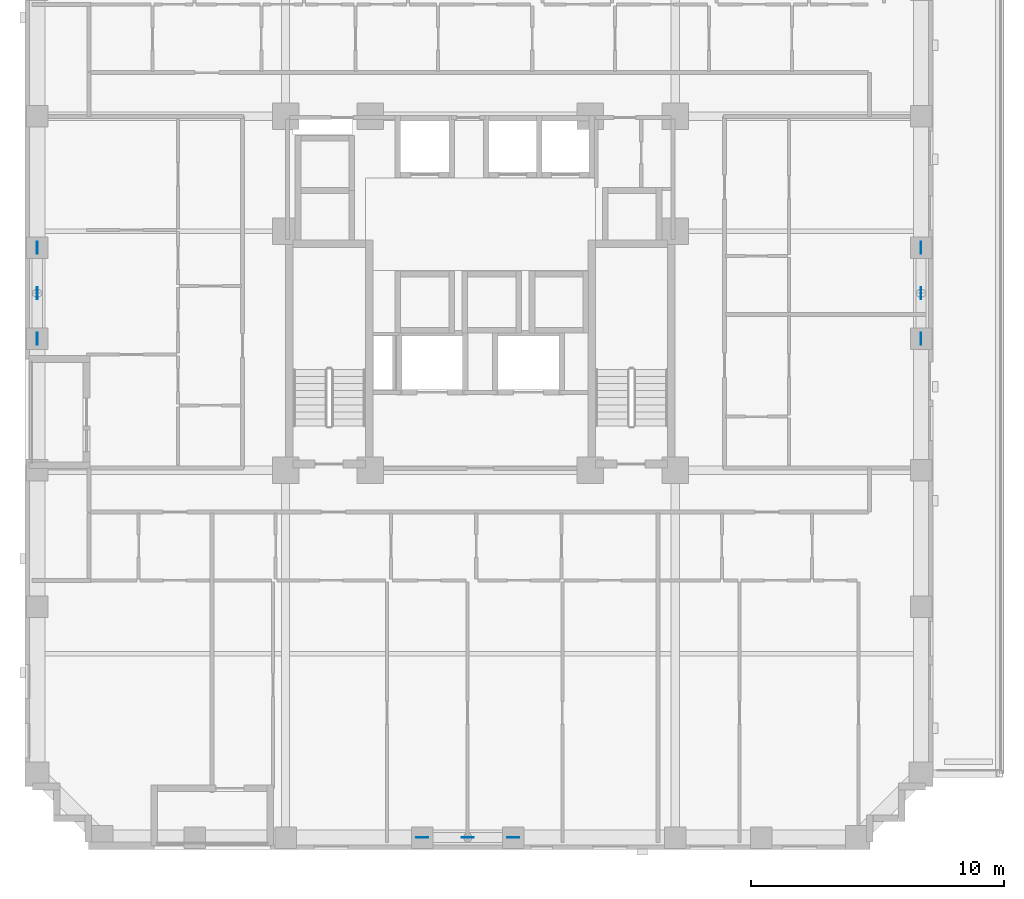
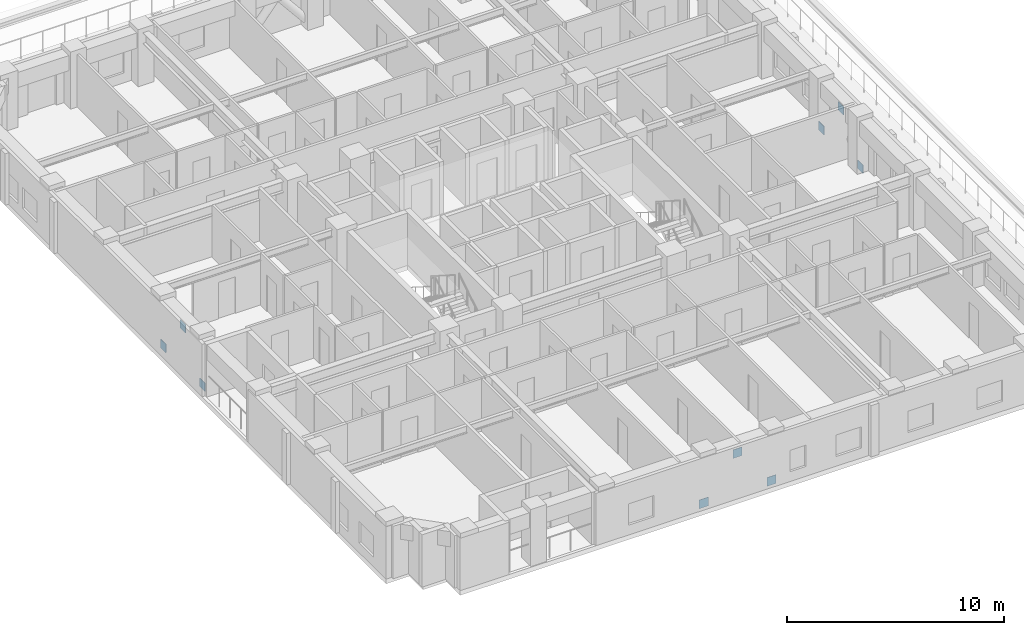
# One storey, part 13 of 16: 9 discrete accessories.
"""IFC4 building model written with IfcOpenShell, lengths in metres."""

from ifc_helpers import new_model, si_unit, derived_unit, direction, frame, origin, origin_2d, place, context, subcontext, project, spatial, rectangle, extrude, material, layer, layer_set, type_object, element, save


model = new_model("IFC4")

# Units and contexts
model_context = context("Model", 3, precision=1e-05, world=origin(), true_north=direction((0.0, 1.0)))
body_context = subcontext(model_context, "Body", "Model", "MODEL_VIEW")
ifc_project = project(units=[si_unit("LENGTHUNIT", "METRE"), si_unit("AREAUNIT", "SQUARE_METRE"), si_unit("VOLUMEUNIT", "CUBIC_METRE"), si_unit("PLANEANGLEUNIT", "RADIAN"), si_unit("MASSUNIT", "GRAM", prefix="KILO"), derived_unit("THERMALTRANSMITTANCEUNIT", [(si_unit("MASSUNIT", "GRAM", prefix="KILO"), 1), (si_unit("TIMEUNIT", "SECOND"), -3), (si_unit("THERMODYNAMICTEMPERATUREUNIT", "KELVIN"), -1)])], contexts=[model_context])

# Site, building, storey
site_placement = place(None, origin())
site = spatial("IfcSite", under=ifc_project, at=site_placement, CompositionType="ELEMENT")
building_placement = place(site_placement, origin())
building = spatial("IfcBuilding", under=site, at=building_placement, Name="Korrvale Station Residences", CompositionType="ELEMENT")
storey_placement = place(building_placement, frame((0.0, 0.0, 75.10009765625)))
storey = spatial("IfcBuildingStorey", under=building, at=storey_placement, Name="L20", CompositionType="ELEMENT", Elevation=75.10009765625)

# Discrete accessories
ifc_material = material(Name="Steel S355", Category="steel")
ifc_layer = layer(ifc_material, 0.02490234375, Name="Steel S355")
ifc_layer_set = layer_set([ifc_layer], Name="Steel S355")
discrete_accessory_type = type_object("IfcDiscreteAccessoryType", Name="ACC-GUSSET-25", PredefinedType="BRACKET", material=ifc_layer_set)
for number, where, z_axis, x_axis, name in (
    (1, (23.199951171875, 0.47998046875, -0.219970703125), (0.0, 0.0, 1.0), (1.0, 0.0, 0.0), "L20 S Brace End Gusset Connection A"),
    (2, (26.800048828125, 0.47998046875, -0.219970703125), (0.0, 0.0, 1.0), (1.0, 0.0, 0.0), "L20 S Brace End Gusset Connection B"),
    (3, (25.0, 0.47998046875, 1.969970703125), (0.0, 0.0, 1.0), (1.0, 0.0, 0.0), "L20 S Brace End Gusset Connection M"),
    (4, (7.97998046875, 20.199951171875, -0.219970703125), (0.0, 0.0, 1.0), (0.0, 1.0, 0.0), "L20 W Brace End Gusset Connection A"),
    (5, (7.97998046875, 23.800048828125, -0.219970703125), (0.0, 0.0, 1.0), (0.0, 1.0, 0.0), "L20 W Brace End Gusset Connection B"),
    (6, (7.97998046875, 22.0, 1.969970703125), (0.0, 0.0, 1.0), (0.0, 1.0, 0.0), "L20 W Brace End Gusset Connection M"),
    (7, (42.919921875, 20.199951171875, -0.219970703125), (0.0, 0.0, 1.0), (0.0, 1.0, 0.0), "L20 E Brace End Gusset Connection A"),
    (8, (42.919921875, 23.800048828125, -0.219970703125), (0.0, 0.0, 1.0), (0.0, 1.0, 0.0), "L20 E Brace End Gusset Connection B"),
    (9, (42.919921875, 22.0, 1.969970703125), (0.0, 0.0, 1.0), (0.0, 1.0, 0.0), "L20 E Brace End Gusset Connection M"),
):
    element("IfcDiscreteAccessory", number, at=place(storey_placement, frame(where, z_axis=z_axis, x_axis=x_axis)), inside=storey, type_object=discrete_accessory_type, Name=name, PredefinedType="BRACKET", context=body_context, shape_type="SweptSolid", body=[
        extrude(rectangle(XDim=0.47998046875, YDim=0.02490234375, at=origin_2d()), origin(), (0.0, 0.0, 1.0), 0.47998046875),
    ])

save(model, "model.ifc")
